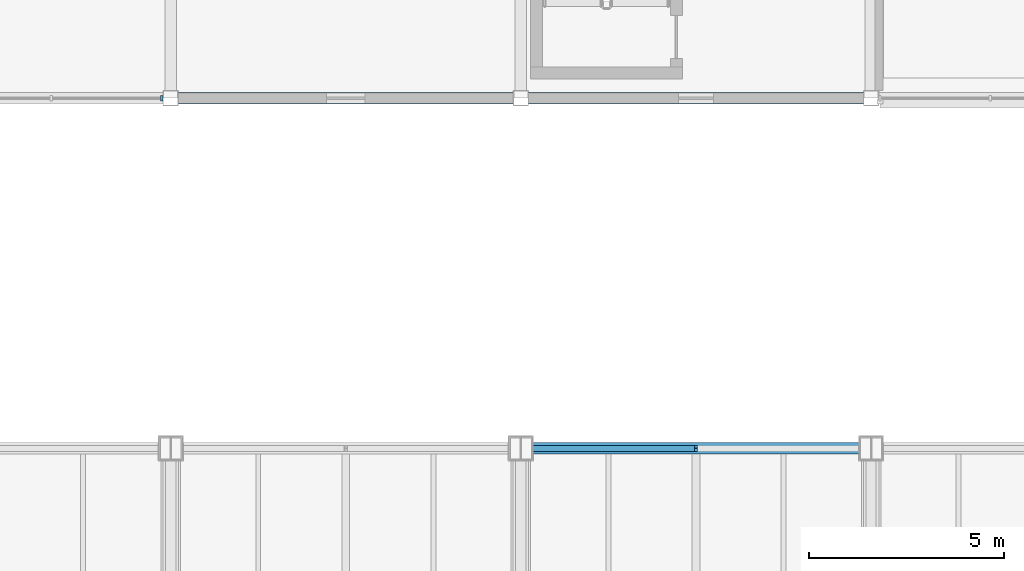
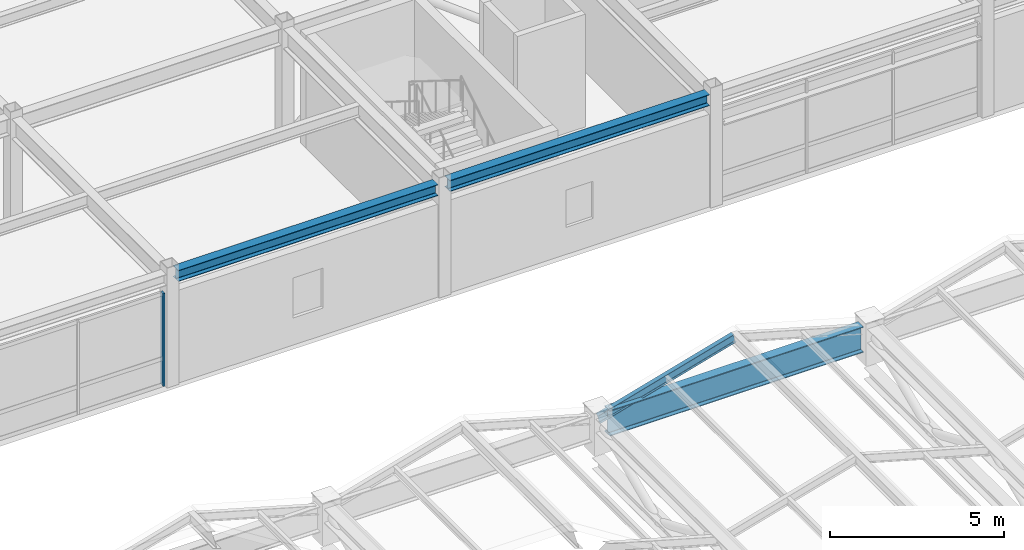
# One storey, part 45 of 108: 3 beams, 2 members, 1 element without a shape of its own.
"""IFC4 building model written with IfcOpenShell, lengths in metres."""

from ifc_helpers import new_model, si_unit, direction, frame, origin, origin_2d, place, context, subcontext, project, spatial, rectangle, i_section, extrude, material, material_profile, profile_set, type_object, element, aggregate, save


model = new_model("IFC4")

# Units and contexts
model_context = context("Model", 3, precision=1e-05, world=origin(), true_north=direction((0.0, 1.0)))
body_context = subcontext(model_context, "Body", "Model", "MODEL_VIEW")
ifc_project = project(units=[si_unit("LENGTHUNIT", "METRE"), si_unit("AREAUNIT", "SQUARE_METRE"), si_unit("VOLUMEUNIT", "CUBIC_METRE"), si_unit("PLANEANGLEUNIT", "RADIAN"), si_unit("MASSUNIT", "GRAM", prefix="KILO")], contexts=[model_context])

# Site, building, storey
site_placement = place(None, origin())
site = spatial("IfcSite", under=ifc_project, at=site_placement, CompositionType="ELEMENT")
building_placement = place(site_placement, origin())
building = spatial("IfcBuilding", under=site, at=building_placement, Name="Suzunagisa Mobility Hub", CompositionType="ELEMENT")
storey_placement = place(building_placement, frame((0.0, 0.0, 9.300048828125)))
storey = spatial("IfcBuildingStorey", under=building, at=storey_placement, Name="L02", CompositionType="ELEMENT", Elevation=9.300048828125)

# Curtain wall, member
ifc_material_1 = material(Name="Thermally Broken Anodized Aluminum and Low-E Glazing", Category="aluminium")
curtain_wall_type = type_object("IfcCurtainWallType", Name="Unitised Curtain Wall CW-18 8500x3200", PredefinedType="USERDEFINED", material=ifc_material_1)
curtain_wall_placement = place(storey_placement, origin())
curtain_wall = element("IfcCurtainWall", 1, at=curtain_wall_placement, inside=storey, type_object=curtain_wall_type, Name="L02 Unitised Curtain Wall CW-110", ObjectType="UNITISED CURTAIN WALL", PredefinedType="USERDEFINED")
ifc_material_2 = material(Name="Anodized Aluminum 6063-T6", Category="aluminium")
ifc_material_profile_1 = material_profile(ifc_material_2, rectangle(XDim=0.06005859375, YDim=0.14990234375, at=origin_2d()), Name="MULL-60x150")
ifc_profile_set_1 = profile_set([ifc_material_profile_1], Name="Anodized Aluminum 6063-T6")
member_type_1 = type_object("IfcMemberType", Name="Curtain Wall Framing CM-03 MULL-60x150", PredefinedType="MULLION", material=ifc_profile_set_1)
member_1_placement = place(storey_placement, frame((80.77001953125, 80.0, 0.0), z_axis=(0.0, 0.0, 1.0), x_axis=(1.0, 0.0, 0.0)))
member_1 = element("IfcMember", 2, at=member_1_placement, type_object=member_type_1, Name="Curtain Wall Mullion 110-M4", PredefinedType="MULLION", context=body_context, shape_type="SweptSolid", body=[
    extrude(rectangle(XDim=0.06005859375, YDim=0.14990234375, at=origin_2d()), origin(), (0.0, 0.0, 1.0), 3.25),
])
aggregate(curtain_wall, [member_1])

# Member
ifc_material_3 = material(Name="Steel SN400B", Category="steel")
ifc_material_profile_2 = material_profile(ifc_material_3, i_section(OverallWidth=0.14990234375, OverallDepth=0.300048828125, WebThickness=0.006591796875, FlangeThickness=0.009033203125, FilletRadius=0.008056640625, at=origin_2d()), Name="H-300x150x6.5x9")
ifc_profile_set_2 = profile_set([ifc_material_profile_2], Name="Steel SN400B")
member_type_2 = type_object("IfcMemberType", Name="Roof Truss and Brace Member MB-08 H-300x150x6.5x9", PredefinedType="RAFTER", material=ifc_profile_set_2)
member_2_placement = place(storey_placement, frame((90.0, 71.0, 1.0537109375), z_axis=(0.961899182139, 0.0, 0.273404395357), x_axis=(0.0, 1.0, 0.0)))
element("IfcMember", 3, at=member_2_placement, inside=storey, type_object=member_type_2, Name="Secondary Roof Sub-Rafter 177", PredefinedType="RAFTER", context=body_context, shape_type="SweptSolid", body=[
    extrude(i_section(OverallWidth=0.14990234375, OverallDepth=0.300048828125, WebThickness=0.006591796875, FlangeThickness=0.009033203125, FilletRadius=0.008056640625, at=origin_2d()), origin(), (0.0, 0.0, 1.0), 4.67822265625),
])

# Beams
ifc_material_4 = material(Name="Steel SN490B", Category="steel")
ifc_material_profile_3 = material_profile(ifc_material_4, i_section(OverallWidth=0.300048828125, OverallDepth=0.89990234375, WebThickness=0.01611328125, FlangeThickness=0.028076171875, FilletRadius=0.01806640625, at=origin_2d()), Name="H-900x300x16x28")
ifc_profile_set_3 = profile_set([ifc_material_profile_3], Name="Steel SN490B")
beam_type_1 = type_object("IfcBeamType", Name="Steel Beam BM-01 H-900x300x16x28", PredefinedType="BEAM", material=ifc_profile_set_3)
beam_placement = place(storey_placement, frame((90.300048828125, 71.0, 0.863037109375), z_axis=(1.0, 0.0, 0.0), x_axis=(0.0, 1.0, 0.0)))
element("IfcBeam", 4, at=beam_placement, inside=storey, type_object=beam_type_1, Name="L02 Concourse Eave Girder EG-2225", PredefinedType="BEAM", context=body_context, shape_type="SweptSolid", body=[
    extrude(i_section(OverallWidth=0.300048828125, OverallDepth=0.89990234375, WebThickness=0.01611328125, FlangeThickness=0.028076171875, FilletRadius=0.01806640625, at=origin_2d()), origin(), (0.0, 0.0, 1.0), 8.39990234375),
])
ifc_material_profile_4 = material_profile(ifc_material_4, i_section(OverallWidth=0.300048828125, OverallDepth=0.389892578125, WebThickness=0.010009765625, FlangeThickness=0.01611328125, FilletRadius=0.012939453125, at=origin_2d()), Name="H-390x300x10x16")
ifc_profile_set_4 = profile_set([ifc_material_profile_4], Name="Steel SN490B")
beam_type_2 = type_object("IfcBeamType", Name="Steel Beam BM-13 H-390x300x10x16", PredefinedType="SPANDREL", material=ifc_profile_set_4)
for number, where, z_axis, x_axis, name in (
    (5, (81.196044921875, 80.0, 3.7548828125), (1.0, 0.0, 0.0), (0.0, 1.0, 0.0), "L02 Primary Girder GX-919"),
    (6, (90.196044921875, 80.0, 3.7548828125), (1.0, 0.0, 0.0), (0.0, 1.0, 0.0), "L02 Primary Girder GX-920"),
):
    element("IfcBeam", number, at=place(storey_placement, frame(where, z_axis=z_axis, x_axis=x_axis)), inside=storey, type_object=beam_type_2, Name=name, PredefinedType="SPANDREL", context=body_context, shape_type="SweptSolid", body=[
        extrude(i_section(OverallWidth=0.300048828125, OverallDepth=0.389892578125, WebThickness=0.010009765625, FlangeThickness=0.01611328125, FilletRadius=0.012939453125, at=origin_2d()), origin(), (0.0, 0.0, 1.0), 8.60791015625),
    ])

save(model, "model.ifc")
